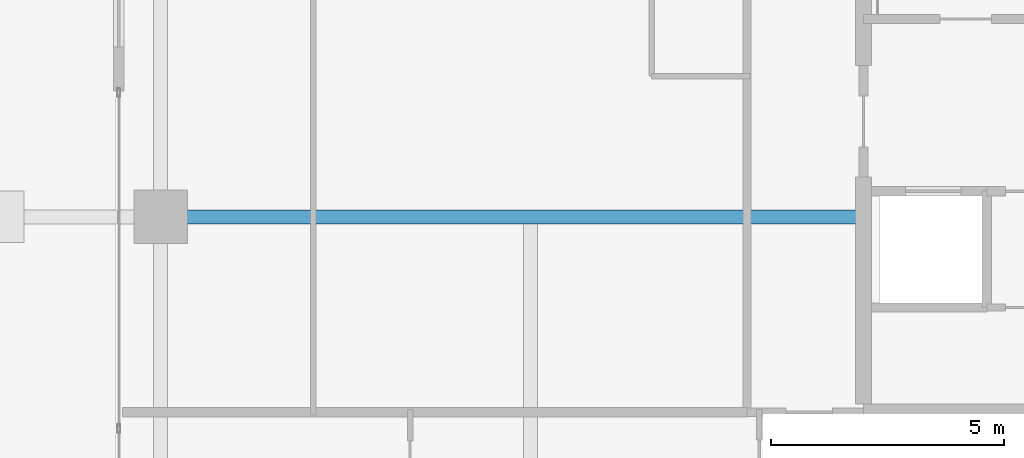
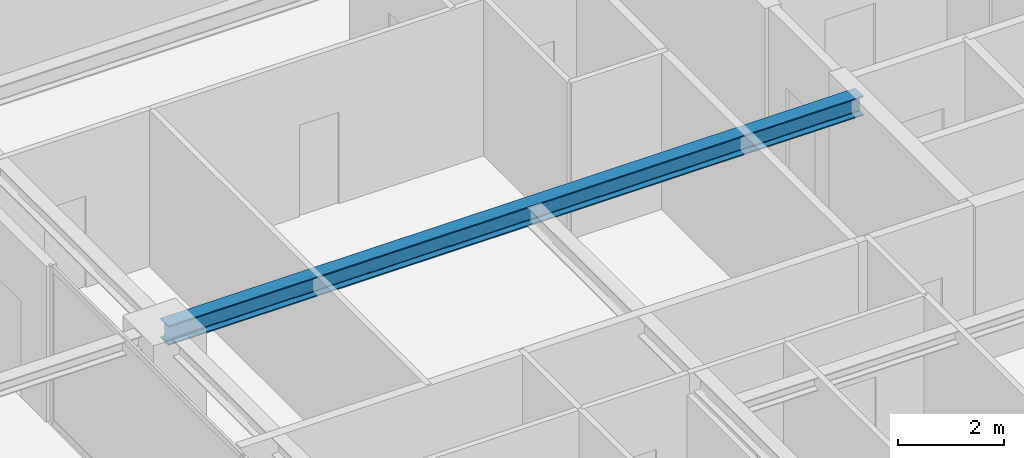
# One storey, part 8 of 35: 1 beam.
"""IFC4 building model written with IfcOpenShell, lengths in metres."""

from ifc_helpers import new_model, si_unit, direction, frame, origin, origin_2d, place, context, subcontext, project, spatial, i_section, extrude, source, transform, mapped, material, material_profile, profile_set, type_object, element, save


model = new_model("IFC4")

# Units and contexts
model_context = context("Model", 3, precision=1e-05, world=origin(), true_north=direction((0.0, 1.0)))
body_context = subcontext(model_context, "Body", "Model", "MODEL_VIEW")
ifc_project = project(units=[si_unit("LENGTHUNIT", "METRE"), si_unit("AREAUNIT", "SQUARE_METRE"), si_unit("VOLUMEUNIT", "CUBIC_METRE"), si_unit("PLANEANGLEUNIT", "RADIAN"), si_unit("MASSUNIT", "GRAM", prefix="KILO")], contexts=[model_context])

# Site, building, storey
site_placement = place(None, origin())
site = spatial("IfcSite", under=ifc_project, at=site_placement, CompositionType="ELEMENT")
building_placement = place(site_placement, origin())
building = spatial("IfcBuilding", under=site, at=building_placement, Name="Serunith Strait Residences", CompositionType="ELEMENT")
storey_placement = place(building_placement, frame((0.0, 0.0, 214.300048828125)))
storey = spatial("IfcBuildingStorey", under=building, at=storey_placement, Name="L53", CompositionType="ELEMENT", Elevation=214.300048828125)

# Beam
ifc_material = material(Name="Steel S355J2", Category="steel")
ifc_material_profile = material_profile(ifc_material, i_section(OverallWidth=0.300048828125, OverallDepth=0.449951171875, WebThickness=0.013916015625, FlangeThickness=0.02587890625, FilletRadius=0.027099609375, at=origin_2d()), Name="HEB 450")
ifc_profile_set = profile_set([ifc_material_profile], Name="Steel S355J2")
beam_type = type_object("IfcBeamType", Name="BM-HEB450", PredefinedType="BEAM", material=ifc_profile_set)
shared_shape = source(origin(), body_context, "Body", "SweptSolid", [
    extrude(i_section(OverallWidth=0.300048828125, OverallDepth=0.449951171875, WebThickness=0.013916015625, FlangeThickness=0.02587890625, FilletRadius=0.027099609375, at=origin_2d()), origin(), (0.0, 0.0, 1.0), 15.099853515625),
])
beam_placement = place(storey_placement, frame((23.39990234375, 21.0, 3.362060546875), z_axis=(-1.0, 0.0, 0.0), x_axis=(0.0, -1.0, 0.0)))
element("IfcBeam", 1, at=beam_placement, inside=storey, type_object=beam_type, Name="L53 Primary Floor Girder TC-W2", PredefinedType="BEAM", context=body_context, shape_type="MappedRepresentation", body=[
    mapped(shared_shape, transform((0.0, 0.0, 0.0), scale=1.0)),
])

save(model, "model.ifc")
